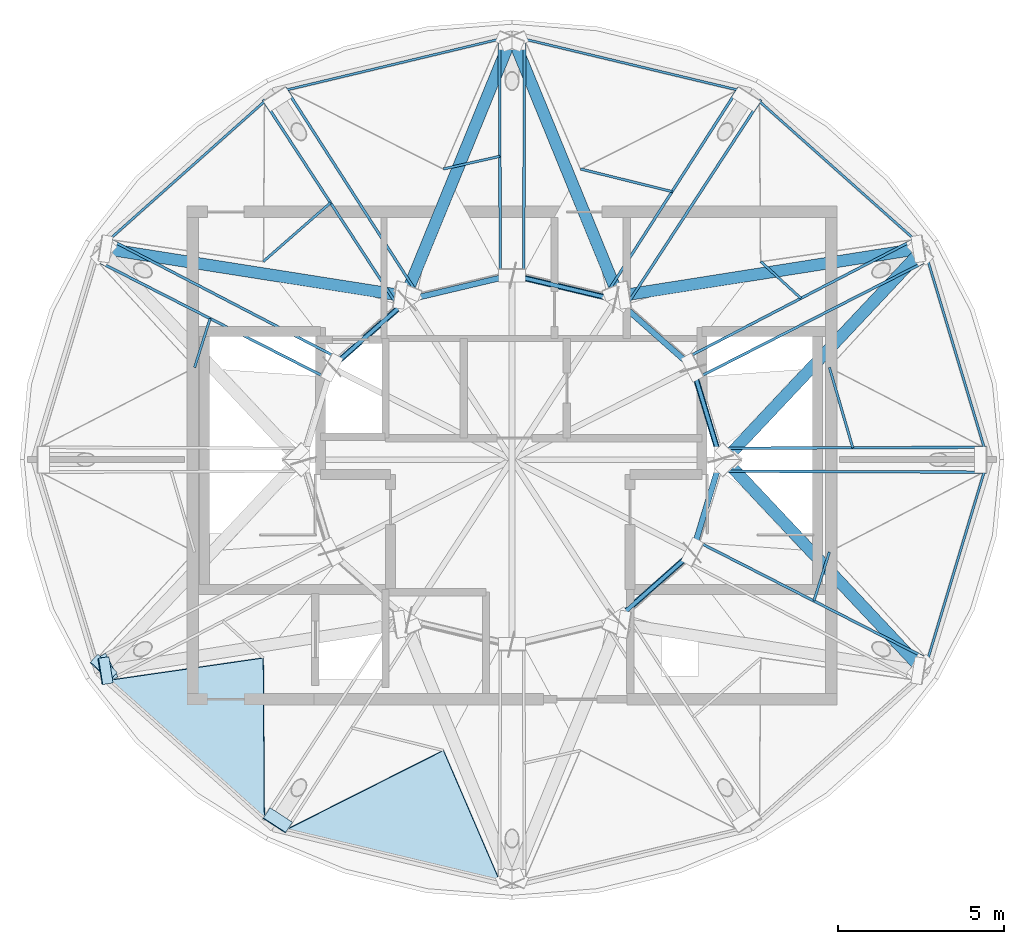
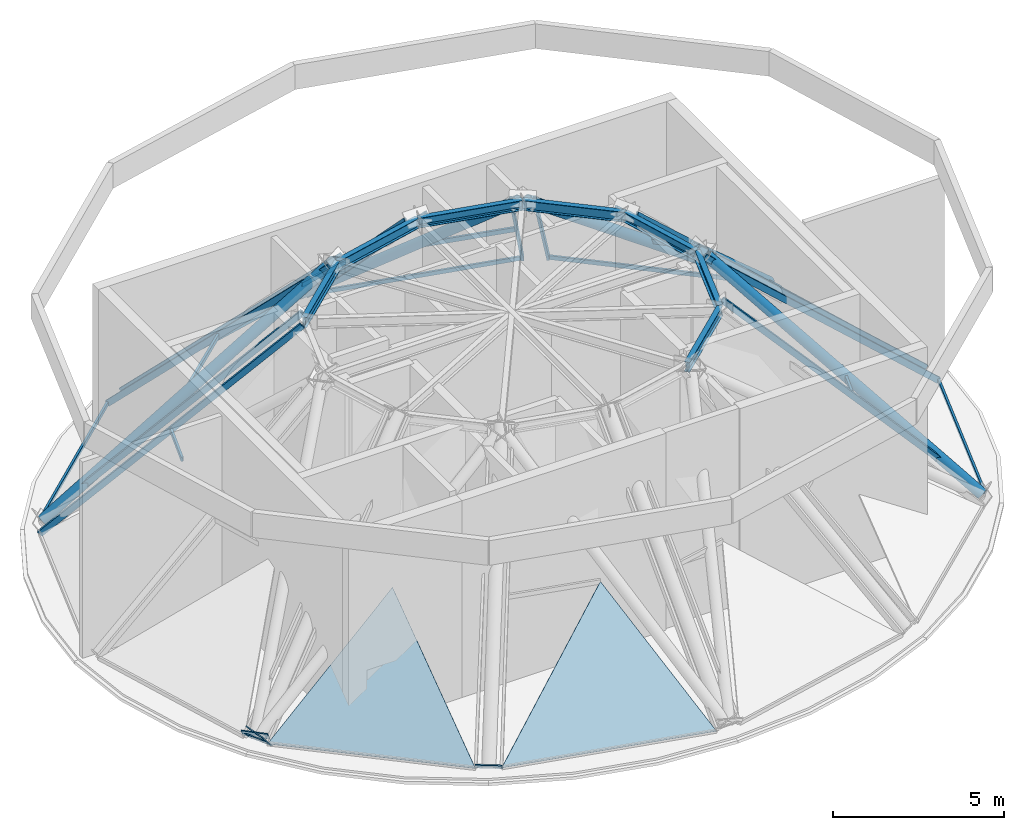
# One storey, part 2 of 6: 36 members, 7 beams, 6 plates, 9 elements without a shape of their own.
"""IFC4 building model written with IfcOpenShell, lengths in metres."""

import ifcopenshell
import ifcopenshell.guid

model = None  # the IFC model being written
_history = None  # IfcOwnerHistory: only IFC2X3 demands one
_inside = {}  # id of a spatial element -> (the spatial element, [elements in it])
_under = {}  # id of a project, library or spatial element -> (it, [spatial elements below it])
_declared = {}  # id of a project -> (the project, [libraries it declares])
_typed = {}  # id of a type object -> (the type object, [elements of that type])
_made_of = {}  # id of a material, layer set ... -> (it, [elements and type objects made of it])


def new_model(schema):
    """Start an empty IFC model of exactly this schema.

    Asked for "IFC4X3", IfcOpenShell would pick the latest addendum, in which some entities
    have other attributes; the version numbers below select the first issue.
    IFC2X3 requires an IfcOwnerHistory on every rooted entity: one is made here for all.
    """
    global model, _history
    if schema == "IFC4X3":
        model = ifcopenshell.file(schema_version=(4, 3, 0, 0))
    else:
        model = ifcopenshell.file(schema=schema)
    _inside.clear()
    _under.clear()
    _declared.clear()
    _typed.clear()
    _made_of.clear()
    _history = None
    if model.schema == "IFC2X3":
        org = make("IfcOrganization", Name="unknown")
        user = make(
            "IfcPersonAndOrganization",
            ThePerson=make("IfcPerson", FamilyName="unknown"),
            TheOrganization=org,
        )
        app = make(
            "IfcApplication",
            ApplicationDeveloper=org,
            Version="unknown",
            ApplicationFullName="unknown",
            ApplicationIdentifier="unknown",
        )
        _history = make(
            "IfcOwnerHistory",
            OwningUser=user,
            OwningApplication=app,
            ChangeAction="ADDED",
            CreationDate=0,
        )
    return model


def make(cls, **values):
    """One entity of the class cls with the attributes given. An attribute that is None is left unset."""
    return model.create_entity(
        cls, **{name: value for name, value in values.items() if value is not None}
    )


def rooted(cls, **values):
    """An entity with a GlobalId (a new one), such as an element, a storey or a relation."""
    return make(cls, GlobalId=ifcopenshell.guid.new(), OwnerHistory=_history, **values)


def si_unit(unit_type, name, prefix=None):
    """IfcSIUnit, for example si_unit("LENGTHUNIT", "METRE", prefix="MILLI")."""
    return make("IfcSIUnit", UnitType=unit_type, Prefix=prefix, Name=name)


def assignment(units):
    """IfcUnitAssignment: the units of a project."""
    return None if units is None else make("IfcUnitAssignment", Units=units)


def point(xyz):
    """IfcCartesianPoint."""
    return None if xyz is None else make("IfcCartesianPoint", Coordinates=xyz)


def direction(xyz):
    """IfcDirection."""
    return None if xyz is None else make("IfcDirection", DirectionRatios=xyz)


def frame(location, z_axis=None, x_axis=None):
    """IfcAxis2Placement3D, a coordinate frame: its origin and axes. An axis left out is left unset."""
    return make(
        "IfcAxis2Placement3D",
        Location=point(location),
        Axis=direction(z_axis),
        RefDirection=direction(x_axis),
    )


def frame_2d(location, x_axis=None):
    """IfcAxis2Placement2D, a coordinate frame in the plane: its origin and x axis."""
    return make(
        "IfcAxis2Placement2D", Location=point(location), RefDirection=direction(x_axis)
    )


def origin():
    """The frame at (0, 0, 0) with its axes left unset."""
    return frame((0.0, 0.0, 0.0))


def origin_2d():
    """The frame at (0, 0) in the plane with its x axis left unset."""
    return frame_2d((0.0, 0.0))


def place(relative_to, where):
    """IfcLocalPlacement: puts the frame where relative to a parent placement (None: the world)."""
    return make(
        "IfcLocalPlacement", PlacementRelTo=relative_to, RelativePlacement=where
    )


def context(
    kind, dimensions, precision=None, world=None, true_north=None, identifier=None
):
    """IfcGeometricRepresentationContext, for example the 3D "Model" context."""
    return make(
        "IfcGeometricRepresentationContext",
        ContextIdentifier=identifier,
        ContextType=kind,
        CoordinateSpaceDimension=dimensions,
        Precision=precision,
        WorldCoordinateSystem=world,
        TrueNorth=true_north,
    )


def subcontext(parent, identifier, kind, view, scale=None):
    """IfcGeometricRepresentationSubContext, for example "Body" below "Model"."""
    return make(
        "IfcGeometricRepresentationSubContext",
        ContextIdentifier=identifier,
        ContextType=kind,
        ParentContext=parent,
        TargetScale=scale,
        TargetView=view,
    )


def project(units=None, contexts=None):
    """IfcProject with its units and contexts."""
    return rooted(
        "IfcProject",
        Name="project",
        RepresentationContexts=contexts,
        UnitsInContext=assignment(units),
    )


def spatial(cls, under=None, at=None, **own):
    """A site, building, storey or space (cls), placed at a placement, below another one or the project."""
    s = rooted(cls, ObjectPlacement=at, **own)
    if under is not None:
        _under.setdefault(under.id(), (under, []))[1].append(s)
    return s


def polyline(points):
    """IfcPolyline through the points."""
    return make("IfcPolyline", Points=[point(p) for p in points])


def profile(cls, at=None, kind="AREA", **sizes):
    """A parametric profile (cls). Its sizes go by their IFC names, for example OverallWidth=200.0."""
    return make(cls, ProfileType=kind, Position=at, **sizes)


def hollow_rectangle(**sizes):
    """IfcRectangleHollowProfileDef."""
    return profile("IfcRectangleHollowProfileDef", **sizes)


def hollow_circle(**sizes):
    """IfcCircleHollowProfileDef."""
    return profile("IfcCircleHollowProfileDef", **sizes)


def i_section(**sizes):
    """IfcIShapeProfileDef."""
    return profile("IfcIShapeProfileDef", **sizes)


def outline(outer, holes=None, kind="AREA"):
    """IfcArbitraryClosedProfileDef: a profile drawn as a closed curve; with holes, ...WithVoids."""
    if holes is None:
        return make("IfcArbitraryClosedProfileDef", ProfileType=kind, OuterCurve=outer)
    return make(
        "IfcArbitraryProfileDefWithVoids",
        ProfileType=kind,
        OuterCurve=outer,
        InnerCurves=holes,
    )


def extrude(swept, where, along, depth):
    """IfcExtrudedAreaSolid: the profile swept, set in the frame where, extruded along a direction by depth."""
    return make(
        "IfcExtrudedAreaSolid",
        SweptArea=swept,
        Position=where,
        ExtrudedDirection=direction(along),
        Depth=depth,
    )


def shape(context_of_items, identifier, shape_type, items):
    """IfcShapeRepresentation: the items that make up one representation, for example the "Body"."""
    return make(
        "IfcShapeRepresentation",
        ContextOfItems=context_of_items,
        RepresentationIdentifier=identifier,
        RepresentationType=shape_type,
        Items=items,
    )


def material(Name=None, Category=None):
    """IfcMaterial."""
    return make("IfcMaterial", Name=Name, Category=Category)


def layer(
    of_material, thickness, ventilated=None, Name=None, Category=None, Priority=None
):
    """IfcMaterialLayer: one layer of a wall or slab, of a material (None: an air gap)."""
    return make(
        "IfcMaterialLayer",
        Material=of_material,
        LayerThickness=thickness,
        IsVentilated=ventilated,
        Name=Name,
        Category=Category,
        Priority=Priority,
    )


def layer_set(layers, Name=None):
    """IfcMaterialLayerSet."""
    return make("IfcMaterialLayerSet", MaterialLayers=layers, LayerSetName=Name)


def material_profile(
    of_material, cross_section, Name=None, Category=None, Priority=None
):
    """IfcMaterialProfile: a cross section and its material."""
    return make(
        "IfcMaterialProfile",
        Name=Name,
        Material=of_material,
        Profile=cross_section,
        Priority=Priority,
        Category=Category,
    )


def profile_set(profiles, Name=None, composite=None):
    """IfcMaterialProfileSet."""
    return make(
        "IfcMaterialProfileSet",
        Name=Name,
        MaterialProfiles=profiles,
        CompositeProfile=composite,
    )


def made_of(thing, what):
    """Note that an element or type object is made of a material, layer set ...; save() writes the relation."""
    if what is not None:
        _made_of.setdefault(what.id(), (what, []))[1].append(thing)
    return thing


def type_object(cls, material=None, **own):
    """A type object (cls), such as IfcWallType, which elements share."""
    return made_of(rooted(cls, **own), material)


def element(
    cls,
    number,
    at=None,
    inside=None,
    cuts=None,
    type_object=None,
    material=None,
    context=None,
    identifier="Body",
    shape_type=None,
    held_by="IfcProductDefinitionShape",
    body=None,
    shapes=None,
    **own,
):
    """One element of the class cls, such as IfcWall. Its Tag is "e" and its number.

    at: its placement. inside: the storey or other place that contains it. cuts: it is an
    opening in that element (IfcRelVoidsElement). A single representation is given by context,
    identifier, shape_type and body (its items); several are given by shapes. held_by: the class
    of the entity that holds the representations. save() writes the other relations.
    """
    e = rooted(cls, Tag="e%d" % number, ObjectPlacement=at, **own)
    if body is not None:
        shapes = [shape(context, identifier, shape_type, body)]
    if shapes is not None:
        e.Representation = make(held_by, Representations=shapes)
    if inside is not None:
        _inside.setdefault(inside.id(), (inside, []))[1].append(e)
    if cuts is not None:
        rooted(
            "IfcRelVoidsElement", RelatingBuildingElement=cuts, RelatedOpeningElement=e
        )
    if type_object is not None:
        _typed.setdefault(type_object.id(), (type_object, []))[1].append(e)
    return made_of(e, material)


def aggregate(whole, parts):
    """IfcRelAggregates: a whole, such as a stair, and the parts it consists of."""
    return rooted("IfcRelAggregates", RelatingObject=whole, RelatedObjects=parts)


def save(model, path):
    """Write the relations noted so far, then the file.

    IfcRelAggregates (storeys below a building ...), IfcRelContainedInSpatialStructure (elements
    in a storey), IfcRelDefinesByType, IfcRelAssociatesMaterial and IfcRelDeclares: one each for
    every whole, place, type object, material and project.
    """
    for whole, parts in _under.values():
        aggregate(whole, parts)
    for where, things in _inside.values():
        rooted(
            "IfcRelContainedInSpatialStructure",
            RelatedElements=things,
            RelatingStructure=where,
        )
    for kind, things in _typed.values():
        rooted("IfcRelDefinesByType", RelatedObjects=things, RelatingType=kind)
    for what, things in _made_of.values():
        rooted("IfcRelAssociatesMaterial", RelatedObjects=things, RelatingMaterial=what)
    for by, libraries in _declared.values():
        rooted("IfcRelDeclares", RelatingContext=by, RelatedDefinitions=libraries)
    model.write(path)


model = new_model("IFC4")

# Units and contexts
model_context = context("Model", 3, precision=1e-05, world=origin(), true_north=direction((0.0, 1.0)))
body_context = subcontext(model_context, "Body", "Model", "MODEL_VIEW")
ifc_project = project(units=[si_unit("LENGTHUNIT", "METRE"), si_unit("AREAUNIT", "SQUARE_METRE"), si_unit("VOLUMEUNIT", "CUBIC_METRE"), si_unit("PLANEANGLEUNIT", "RADIAN"), si_unit("MASSUNIT", "GRAM", prefix="KILO")], contexts=[model_context])

# Site, building, storey
site_placement = place(None, origin())
site = spatial("IfcSite", under=ifc_project, at=site_placement, CompositionType="ELEMENT")
building_placement = place(site_placement, origin())
building = spatial("IfcBuilding", under=site, at=building_placement, Name="Vantalir Tower", CompositionType="ELEMENT")
storey_placement = place(building_placement, frame((0.0, 0.0, 340.75)))
storey = spatial("IfcBuildingStorey", under=building, at=storey_placement, Name="L81", CompositionType="ELEMENT", Elevation=340.75)

# Beams
ifc_material_1 = material(Name="Steel S460", Category="steel")
ifc_material_profile_1 = material_profile(ifc_material_1, i_section(OverallWidth=0.172119140625, OverallDepth=0.35791015625, WebThickness=0.008056640625, FlangeThickness=0.012939453125, at=origin_2d()), Name="Steel S460")
ifc_profile_set_1 = profile_set([ifc_material_profile_1], Name="Steel S460")
beam_type = type_object("IfcBeamType", Name="BM-RB-356x171", PredefinedType="BEAM", material=ifc_profile_set_1)
beam_1_placement = place(storey_placement, frame((37.77001953125, 25.0, 7.071044921875), z_axis=(-0.289757313078, 0.957100151247, 0.0), x_axis=(-0.957100151247, -0.289757313078, 0.0)))
element("IfcBeam", 1, at=beam_1_placement, inside=storey, type_object=beam_type, Name="L81 Circumferential Ring Girder 01", PredefinedType="BEAM", context=body_context, shape_type="SweptSolid", body=[
    extrude(i_section(OverallWidth=0.172119140625, OverallDepth=0.35791015625, WebThickness=0.008056640625, FlangeThickness=0.012939453125, at=origin_2d()), origin(), (0.0, 0.0, 1.0), 2.899169921875),
])
beam_2_placement = place(storey_placement, frame((36.929931640625, 27.77490234375, 7.071044921875), z_axis=(-0.748853610348, 0.662735445158, 0.0), x_axis=(-0.662735445158, -0.748853610348, 0.0)))
element("IfcBeam", 2, at=beam_2_placement, inside=storey, type_object=beam_type, Name="L81 Circumferential Ring Girder 02", PredefinedType="BEAM", context=body_context, shape_type="SweptSolid", body=[
    extrude(i_section(OverallWidth=0.172119140625, OverallDepth=0.35791015625, WebThickness=0.008056640625, FlangeThickness=0.012939453125, at=origin_2d()), origin(), (0.0, 0.0, 1.0), 3.064697265625),
])
for number, where, z_axis, x_axis, name in (
    (3, (34.635009765625, 29.805908203125, 7.071044921875), (-0.972966140328, 0.23094780747, 0.0), (-0.23094780747, -0.972966140328, 0.0), "L81 Circumferential Ring Girder 03"),
    (4, (31.5, 30.550048828125, 7.071044921875), (-0.972966140328, -0.23094780747, 0.0), (0.23094780747, -0.972966140328, 0.0), "L81 Circumferential Ring Girder 04"),
):
    element("IfcBeam", number, at=place(storey_placement, frame(where, z_axis=z_axis, x_axis=x_axis)), inside=storey, type_object=beam_type, Name=name, PredefinedType="BEAM", context=body_context, shape_type="SweptSolid", body=[
        extrude(i_section(OverallWidth=0.172119140625, OverallDepth=0.35791015625, WebThickness=0.008056640625, FlangeThickness=0.012939453125, at=origin_2d()), origin(), (0.0, 0.0, 1.0), 3.22216796875),
    ])
for number, where, z_axis, x_axis, name in (
    (5, (28.364990234375, 29.805908203125, 7.071044921875), (-0.748853610348, -0.662735445158, 0.0), (0.662735445158, -0.748853610348, 0.0), "L81 Circumferential Ring Girder 05"),
    (6, (34.635009765625, 20.194091796875, 7.071044921875), (0.748853610348, 0.662735445158, 0.0), (-0.662735445158, 0.748853610348, 0.0), "L81 Circumferential Ring Girder 11"),
):
    element("IfcBeam", number, at=place(storey_placement, frame(where, z_axis=z_axis, x_axis=x_axis)), inside=storey, type_object=beam_type, Name=name, PredefinedType="BEAM", context=body_context, shape_type="SweptSolid", body=[
        extrude(i_section(OverallWidth=0.172119140625, OverallDepth=0.35791015625, WebThickness=0.008056640625, FlangeThickness=0.012939453125, at=origin_2d()), origin(), (0.0, 0.0, 1.0), 3.064697265625),
    ])
beam_3_placement = place(storey_placement, frame((36.929931640625, 22.22509765625, 7.071044921875), z_axis=(0.289757313078, 0.957100151247, 0.0), x_axis=(-0.957100151247, 0.289757313078, 0.0)))
element("IfcBeam", 7, at=beam_3_placement, inside=storey, type_object=beam_type, Name="L81 Circumferential Ring Girder 12", PredefinedType="BEAM", context=body_context, shape_type="SweptSolid", body=[
    extrude(i_section(OverallWidth=0.172119140625, OverallDepth=0.35791015625, WebThickness=0.008056640625, FlangeThickness=0.012939453125, at=origin_2d()), origin(), (0.0, 0.0, 1.0), 2.899169921875),
])

# Curtain wall, members
ifc_material_2 = material(Name="Champagne-silver PVDF aluminium and double-silver Low-E glass", Category="aluminium")
ifc_layer_1 = layer(ifc_material_2, 0.25)
ifc_layer_set_1 = layer_set([ifc_layer_1], Name="Champagne-silver PVDF aluminium and double-silver Low-E glass")
curtain_wall_type = type_object("IfcCurtainWallType", Name="CW-CROWN-PT", PredefinedType="USERDEFINED", material=ifc_layer_set_1)
curtain_wall_1_placement = place(storey_placement, origin())
curtain_wall_1 = element("IfcCurtainWall", 8, at=curtain_wall_1_placement, inside=storey, type_object=curtain_wall_type, Name="L81 Quilted Pyramid-Diamond Curtain Wall S01", ObjectType="UNITISED CURTAIN WALL", PredefinedType="USERDEFINED")
ifc_material_3 = material(Name="Champagne-silver PVDF aluminium 6063-T6", Category="aluminium")
ifc_material_profile_2 = material_profile(ifc_material_3, hollow_rectangle(XDim=0.080078125, YDim=0.199951171875, WallThickness=0.0048828125, at=origin_2d()), Name="Champagne-silver PVDF aluminium 6063-T6")
ifc_profile_set_2 = profile_set([ifc_material_profile_2], Name="Champagne-silver PVDF aluminium 6063-T6")
member_type_1 = type_object("IfcMemberType", Name="CWM-200x80", PredefinedType="MULLION", material=ifc_profile_set_2)
member_1_placement = place(storey_placement, frame((45.69189453125, 25.373046875, 0.044921875), z_axis=(-0.740778487753, -0.002634021585, 0.671744217699), x_axis=(0.003555725466, -0.999993678388, 0.0)))
member_1 = element("IfcMember", 9, at=member_1_placement, type_object=member_type_1, Name="CW-L81-S01 Mullion 1", PredefinedType="MULLION", context=body_context, shape_type="SweptSolid", body=[
    extrude(hollow_rectangle(XDim=0.080078125, YDim=0.199951171875, WallThickness=0.0048828125, at=origin_2d()), origin(), (0.0, 0.0, 1.0), 10.658935546875),
])
member_2_placement = place(storey_placement, frame((44.0, 30.992919921875, 0.044921875), z_axis=(-0.652029545163, -0.332797552318, 0.681251246902), x_axis=(0.45461060906, -0.890690290802, 0.0)))
member_2 = element("IfcMember", 10, at=member_2_placement, type_object=member_type_1, Name="CW-L81-S01 Mullion 2", PredefinedType="MULLION", context=body_context, shape_type="SweptSolid", body=[
    extrude(hollow_rectangle(XDim=0.080078125, YDim=0.199951171875, WallThickness=0.0048828125, at=origin_2d()), origin(), (0.0, 0.0, 1.0), 10.51025390625),
])

curtain_wall_2_placement = place(storey_placement, origin())
curtain_wall_2 = element("IfcCurtainWall", 11, at=curtain_wall_2_placement, inside=storey, type_object=curtain_wall_type, Name="L81 Quilted Pyramid-Diamond Curtain Wall S02", ObjectType="UNITISED CURTAIN WALL", PredefinedType="USERDEFINED")
member_3_placement = place(storey_placement, frame((43.596923828125, 31.625, 0.044921875), z_axis=(-0.649383812455, -0.337483468426, 0.681473090195), x_axis=(0.461141787849, -0.887326462752, 0.0)))
member_3 = element("IfcMember", 12, at=member_3_placement, type_object=member_type_1, Name="CW-L81-S02 Mullion 1", PredefinedType="MULLION", context=body_context, shape_type="SweptSolid", body=[
    extrude(hollow_rectangle(XDim=0.080078125, YDim=0.199951171875, WallThickness=0.0048828125, at=origin_2d()), origin(), (0.0, 0.0, 1.0), 10.5068359375),
])
member_4_placement = place(storey_placement, frame((38.943115234375, 35.76806640625, 0.044921875), z_axis=(-0.389457173987, -0.596626953416, 0.70168325339), x_axis=(0.83738406038, -0.546614979142, 0.0)))
member_4 = element("IfcMember", 13, at=member_4_placement, type_object=member_type_1, Name="CW-L81-S02 Mullion 2", PredefinedType="MULLION", context=body_context, shape_type="SweptSolid", body=[
    extrude(hollow_rectangle(XDim=0.080078125, YDim=0.199951171875, WallThickness=0.0048828125, at=origin_2d()), origin(), (0.0, 0.0, 1.0), 10.204345703125),
])

curtain_wall_3_placement = place(storey_placement, origin())
curtain_wall_3 = element("IfcCurtainWall", 14, at=curtain_wall_3_placement, inside=storey, type_object=curtain_wall_type, Name="L81 Quilted Pyramid-Diamond Curtain Wall S03", ObjectType="UNITISED CURTAIN WALL", PredefinedType="USERDEFINED")
member_5_placement = place(storey_placement, frame((38.27294921875, 36.116943359375, 0.044921875), z_axis=(-0.384575349421, -0.59948087982, 0.701943356225), x_axis=(0.841692353303, -0.539957389423, 0.0)))
member_5 = element("IfcMember", 15, at=member_5_placement, type_object=member_type_1, Name="CW-L81-S03 Mullion 1", PredefinedType="MULLION", context=body_context, shape_type="SweptSolid", body=[
    extrude(hollow_rectangle(XDim=0.080078125, YDim=0.199951171875, WallThickness=0.0048828125, at=origin_2d()), origin(), (0.0, 0.0, 1.0), 10.200439453125),
])
member_6_placement = place(storey_placement, frame((31.87890625, 37.64306640625, 0.044921875), z_axis=(-0.002867743735, -0.701406372276, 0.71275583265), x_axis=(0.999991641933, -0.004088528247, 0.0)))
member_6 = element("IfcMember", 16, at=member_6_placement, type_object=member_type_1, Name="CW-L81-S03 Mullion 2", PredefinedType="MULLION", context=body_context, shape_type="SweptSolid", body=[
    extrude(hollow_rectangle(XDim=0.080078125, YDim=0.199951171875, WallThickness=0.0048828125, at=origin_2d()), origin(), (0.0, 0.0, 1.0), 10.045654296875),
])

curtain_wall_4_placement = place(storey_placement, origin())
curtain_wall_4 = element("IfcCurtainWall", 17, at=curtain_wall_4_placement, inside=storey, type_object=curtain_wall_type, Name="L81 Quilted Pyramid-Diamond Curtain Wall S04", ObjectType="UNITISED CURTAIN WALL", PredefinedType="USERDEFINED")
member_7_placement = place(storey_placement, frame((31.12109375, 37.64306640625, 0.044921875), z_axis=(0.002867743735, -0.701406372276, 0.71275583265), x_axis=(0.999991641933, 0.004088528247, 0.0)))
member_7 = element("IfcMember", 18, at=member_7_placement, type_object=member_type_1, Name="CW-L81-S04 Mullion 1", PredefinedType="MULLION", context=body_context, shape_type="SweptSolid", body=[
    extrude(hollow_rectangle(XDim=0.080078125, YDim=0.199951171875, WallThickness=0.0048828125, at=origin_2d()), origin(), (0.0, 0.0, 1.0), 10.045654296875),
])
member_8_placement = place(storey_placement, frame((24.72705078125, 36.116943359375, 0.044921875), z_axis=(0.384575349421, -0.59948087982, 0.701943356225), x_axis=(0.841692353303, 0.539957389423, 0.0)))
member_8 = element("IfcMember", 19, at=member_8_placement, type_object=member_type_1, Name="CW-L81-S04 Mullion 2", PredefinedType="MULLION", context=body_context, shape_type="SweptSolid", body=[
    extrude(hollow_rectangle(XDim=0.080078125, YDim=0.199951171875, WallThickness=0.0048828125, at=origin_2d()), origin(), (0.0, 0.0, 1.0), 10.200439453125),
])

curtain_wall_5_placement = place(storey_placement, origin())
curtain_wall_5 = element("IfcCurtainWall", 20, at=curtain_wall_5_placement, inside=storey, type_object=curtain_wall_type, Name="L81 Quilted Pyramid-Diamond Curtain Wall S05", ObjectType="UNITISED CURTAIN WALL", PredefinedType="USERDEFINED")
member_9_placement = place(storey_placement, frame((24.056884765625, 35.76806640625, 0.044921875), z_axis=(0.389457173987, -0.596626953416, 0.70168325339), x_axis=(0.83738406038, 0.546614979142, 0.0)))
member_9 = element("IfcMember", 21, at=member_9_placement, type_object=member_type_1, Name="CW-L81-S05 Mullion 1", PredefinedType="MULLION", context=body_context, shape_type="SweptSolid", body=[
    extrude(hollow_rectangle(XDim=0.080078125, YDim=0.199951171875, WallThickness=0.0048828125, at=origin_2d()), origin(), (0.0, 0.0, 1.0), 10.204345703125),
])
member_10_placement = place(storey_placement, frame((19.403076171875, 31.625, 0.044921875), z_axis=(0.649383812455, -0.337483468426, 0.681473090195), x_axis=(0.461141787849, 0.887326462752, 0.0)))
member_10 = element("IfcMember", 22, at=member_10_placement, type_object=member_type_1, Name="CW-L81-S05 Mullion 2", PredefinedType="MULLION", context=body_context, shape_type="SweptSolid", body=[
    extrude(hollow_rectangle(XDim=0.080078125, YDim=0.199951171875, WallThickness=0.0048828125, at=origin_2d()), origin(), (0.0, 0.0, 1.0), 10.5068359375),
])

# Curtain wall, member
curtain_wall_6_placement = place(storey_placement, origin())
curtain_wall_6 = element("IfcCurtainWall", 23, at=curtain_wall_6_placement, inside=storey, type_object=curtain_wall_type, Name="L81 Quilted Pyramid-Diamond Curtain Wall S06", ObjectType="UNITISED CURTAIN WALL", PredefinedType="USERDEFINED")
member_11_placement = place(storey_placement, frame((19.0, 30.992919921875, 0.044921875), z_axis=(0.652029545163, -0.332797552318, 0.681251246902), x_axis=(0.45461060906, 0.890690290802, 0.0)))
member_11 = element("IfcMember", 24, at=member_11_placement, type_object=member_type_1, Name="CW-L81-S06 Mullion 1", PredefinedType="MULLION", context=body_context, shape_type="SweptSolid", body=[
    extrude(hollow_rectangle(XDim=0.080078125, YDim=0.199951171875, WallThickness=0.0048828125, at=origin_2d()), origin(), (0.0, 0.0, 1.0), 10.51025390625),
])

# Curtain wall, members
curtain_wall_7_placement = place(storey_placement, origin())
curtain_wall_7 = element("IfcCurtainWall", 25, at=curtain_wall_7_placement, inside=storey, type_object=curtain_wall_type, Name="L81 Quilted Pyramid-Diamond Curtain Wall S12", ObjectType="UNITISED CURTAIN WALL", PredefinedType="USERDEFINED")
member_12_placement = place(storey_placement, frame((44.0, 19.006103515625, 0.044921875), z_axis=(-0.652009381347, 0.332880172572, 0.681230179414), x_axis=(-0.454711292987, -0.890638894295, 0.0)))
member_12 = element("IfcMember", 26, at=member_12_placement, type_object=member_type_1, Name="CW-L81-S12 Mullion 1", PredefinedType="MULLION", context=body_context, shape_type="SweptSolid", body=[
    extrude(hollow_rectangle(XDim=0.080078125, YDim=0.199951171875, WallThickness=0.0048828125, at=origin_2d()), origin(), (0.0, 0.0, 1.0), 10.5107421875),
])
member_13_placement = place(storey_placement, frame((45.69189453125, 24.626953125, 0.044921875), z_axis=(-0.740778487753, 0.002634021585, 0.671744217699), x_axis=(-0.003555725466, -0.999993678388, 0.0)))
member_13 = element("IfcMember", 27, at=member_13_placement, type_object=member_type_1, Name="CW-L81-S12 Mullion 2", PredefinedType="MULLION", context=body_context, shape_type="SweptSolid", body=[
    extrude(hollow_rectangle(XDim=0.080078125, YDim=0.199951171875, WallThickness=0.0048828125, at=origin_2d()), origin(), (0.0, 0.0, 1.0), 10.658935546875),
])

# Member
ifc_material_profile_3 = material_profile(ifc_material_3, hollow_rectangle(XDim=0.070068359375, YDim=0.139892578125, WallThickness=0.00390625, at=origin_2d()), Name="Champagne-silver PVDF aluminium 6063-T6")
ifc_profile_set_3 = profile_set([ifc_material_profile_3], Name="Champagne-silver PVDF aluminium 6063-T6")
member_type_2 = type_object("IfcMemberType", Name="CWT-140x70", PredefinedType="USERDEFINED", material=ifc_profile_set_3)
member_14_placement = place(storey_placement, frame((45.69189453125, 25.373046875, 0.054931640625), z_axis=(-0.2882751223, 0.957547624854, 0.0), x_axis=(-0.957547624854, -0.2882751223, 0.0)))
member_14 = element("IfcMember", 28, at=member_14_placement, type_object=member_type_2, Name="CW-L81-S01 Sill Transom", ObjectType="TRANSOM", PredefinedType="USERDEFINED", context=body_context, shape_type="SweptSolid", body=[
    extrude(hollow_rectangle(XDim=0.070068359375, YDim=0.139892578125, WallThickness=0.00390625, at=origin_2d()), origin(), (0.0, 0.0, 1.0), 5.869140625),
])

member_15_placement = place(storey_placement, frame((43.596923828125, 31.625, 0.054931640625), z_axis=(-0.746903238085, 0.664932743169, 0.0), x_axis=(-0.664932743169, -0.746903238085, 0.0)))
member_15 = element("IfcMember", 29, at=member_15_placement, type_object=member_type_2, Name="CW-L81-S02 Sill Transom", ObjectType="TRANSOM", PredefinedType="USERDEFINED", context=body_context, shape_type="SweptSolid", body=[
    extrude(hollow_rectangle(XDim=0.070068359375, YDim=0.139892578125, WallThickness=0.00390625, at=origin_2d()), origin(), (0.0, 0.0, 1.0), 6.230712890625),
])

member_16_placement = place(storey_placement, frame((38.27294921875, 36.116943359375, 0.054931640625), z_axis=(-0.97267815095, 0.232157736601, 0.0), x_axis=(-0.232157736601, -0.97267815095, 0.0)))
member_16 = element("IfcMember", 30, at=member_16_placement, type_object=member_type_2, Name="CW-L81-S03 Sill Transom", ObjectType="TRANSOM", PredefinedType="USERDEFINED", context=body_context, shape_type="SweptSolid", body=[
    extrude(hollow_rectangle(XDim=0.070068359375, YDim=0.139892578125, WallThickness=0.00390625, at=origin_2d()), origin(), (0.0, 0.0, 1.0), 6.57373046875),
])

member_17_placement = place(storey_placement, frame((31.12109375, 37.64306640625, 0.054931640625), z_axis=(-0.97267815095, -0.232157736601, 0.0), x_axis=(0.232157736601, -0.97267815095, 0.0)))
member_17 = element("IfcMember", 31, at=member_17_placement, type_object=member_type_2, Name="CW-L81-S04 Sill Transom", ObjectType="TRANSOM", PredefinedType="USERDEFINED", context=body_context, shape_type="SweptSolid", body=[
    extrude(hollow_rectangle(XDim=0.070068359375, YDim=0.139892578125, WallThickness=0.00390625, at=origin_2d()), origin(), (0.0, 0.0, 1.0), 6.57373046875),
])

member_18_placement = place(storey_placement, frame((24.056884765625, 35.76806640625, 0.054931640625), z_axis=(-0.746903238085, -0.664932743169, 0.0), x_axis=(0.664932743169, -0.746903238085, 0.0)))
member_18 = element("IfcMember", 32, at=member_18_placement, type_object=member_type_2, Name="CW-L81-S05 Sill Transom", ObjectType="TRANSOM", PredefinedType="USERDEFINED", context=body_context, shape_type="SweptSolid", body=[
    extrude(hollow_rectangle(XDim=0.070068359375, YDim=0.139892578125, WallThickness=0.00390625, at=origin_2d()), origin(), (0.0, 0.0, 1.0), 6.230712890625),
])

member_19_placement = place(storey_placement, frame((44.0, 19.006103515625, 0.054931640625), z_axis=(0.288229198754, 0.957561449195, 0.0), x_axis=(-0.957561449195, 0.288229198754, 0.0)))
member_19 = element("IfcMember", 33, at=member_19_placement, type_object=member_type_2, Name="CW-L81-S12 Sill Transom", ObjectType="TRANSOM", PredefinedType="USERDEFINED", context=body_context, shape_type="SweptSolid", body=[
    extrude(hollow_rectangle(XDim=0.070068359375, YDim=0.139892578125, WallThickness=0.00390625, at=origin_2d()), origin(), (0.0, 0.0, 1.0), 5.869873046875),
])

ifc_material_profile_4 = material_profile(ifc_material_3, hollow_rectangle(XDim=0.074951171875, YDim=0.159912109375, WallThickness=0.00390625, at=origin_2d()), Name="Champagne-silver PVDF aluminium 6063-T6")
ifc_profile_set_4 = profile_set([ifc_material_profile_4], Name="Champagne-silver PVDF aluminium 6063-T6")
member_type_3 = type_object("IfcMemberType", Name="CWT-160x75", PredefinedType="USERDEFINED", material=ifc_profile_set_4)
member_20_placement = place(storey_placement, frame((41.743896484375, 25.35888671875, 3.625), z_axis=(-0.279448317553, 0.960160735407, 0.0), x_axis=(-0.960160735407, -0.279448317553, 0.0)))
member_20 = element("IfcMember", 34, at=member_20_placement, type_object=member_type_3, Name="CW-L81-S01 Pyramid Fold Ridge Transom", ObjectType="TRANSOM", PredefinedType="USERDEFINED", context=body_context, shape_type="SweptSolid", body=[
    extrude(hollow_rectangle(XDim=0.074951171875, YDim=0.159912109375, WallThickness=0.00390625, at=origin_2d()), origin(), (0.0, 0.0, 1.0), 2.51513671875),
])

aggregate(curtain_wall_1, [member_1, member_2, member_14, member_20])

member_21_placement = place(storey_placement, frame((40.18505859375, 29.85205078125, 3.625), z_axis=(-0.737574754998, 0.675265489115, 0.0), x_axis=(-0.675265489115, -0.737574754998, 0.0)))
member_21 = element("IfcMember", 35, at=member_21_placement, type_object=member_type_3, Name="CW-L81-S02 Pyramid Fold Ridge Transom", ObjectType="TRANSOM", PredefinedType="USERDEFINED", context=body_context, shape_type="SweptSolid", body=[
    extrude(hollow_rectangle(XDim=0.074951171875, YDim=0.159912109375, WallThickness=0.00390625, at=origin_2d()), origin(), (0.0, 0.0, 1.0), 1.6376953125),
])

aggregate(curtain_wall_2, [member_3, member_4, member_15, member_21])

member_22_placement = place(storey_placement, frame((36.31103515625, 33.06005859375, 3.625), z_axis=(-0.970787722038, 0.239939989872, 0.0), x_axis=(-0.239939989872, -0.970787722038, 0.0)))
member_22 = element("IfcMember", 36, at=member_22_placement, type_object=member_type_3, Name="CW-L81-S03 Pyramid Fold Ridge Transom", ObjectType="TRANSOM", PredefinedType="USERDEFINED", context=body_context, shape_type="SweptSolid", body=[
    extrude(hollow_rectangle(XDim=0.074951171875, YDim=0.159912109375, WallThickness=0.00390625, at=origin_2d()), origin(), (0.0, 0.0, 1.0), 2.833740234375),
])

aggregate(curtain_wall_3, [member_5, member_6, member_16, member_22])

member_23_placement = place(storey_placement, frame((31.135009765625, 34.1201171875, 3.625), z_axis=(-0.975765265983, -0.218819893293, 0.0), x_axis=(0.218819893293, -0.975765265983, 0.0)))
member_23 = element("IfcMember", 37, at=member_23_placement, type_object=member_type_3, Name="CW-L81-S04 Pyramid Fold Ridge Transom", ObjectType="TRANSOM", PredefinedType="USERDEFINED", context=body_context, shape_type="SweptSolid", body=[
    extrude(hollow_rectangle(XDim=0.074951171875, YDim=0.159912109375, WallThickness=0.00390625, at=origin_2d()), origin(), (0.0, 0.0, 1.0), 1.737060546875),
])

aggregate(curtain_wall_4, [member_7, member_8, member_17, member_23])

member_24_placement = place(storey_placement, frame((26.0439453125, 32.72412109375, 3.625), z_axis=(-0.75299352566, -0.658027925178, 0.0), x_axis=(0.658027925178, -0.75299352566, 0.0)))
member_24 = element("IfcMember", 38, at=member_24_placement, type_object=member_type_3, Name="CW-L81-S05 Pyramid Fold Ridge Transom", ObjectType="TRANSOM", PredefinedType="USERDEFINED", context=body_context, shape_type="SweptSolid", body=[
    extrude(hollow_rectangle(XDim=0.074951171875, YDim=0.159912109375, WallThickness=0.00390625, at=origin_2d()), origin(), (0.0, 0.0, 1.0), 2.683837890625),
])

aggregate(curtain_wall_5, [member_9, member_10, member_18, member_24])

member_25_placement = place(storey_placement, frame((22.426025390625, 29.243896484375, 3.625), z_axis=(-0.3028050893, -0.953052505319, 0.0), x_axis=(0.953052505319, -0.3028050893, 0.0)))
member_25 = element("IfcMember", 39, at=member_25_placement, type_object=member_type_3, Name="CW-L81-S06 Pyramid Fold Ridge Transom", ObjectType="TRANSOM", PredefinedType="USERDEFINED", context=body_context, shape_type="SweptSolid", body=[
    extrude(hollow_rectangle(XDim=0.074951171875, YDim=0.159912109375, WallThickness=0.00390625, at=origin_2d()), origin(), (0.0, 0.0, 1.0), 1.54248046875),
])

aggregate(curtain_wall_6, [member_11, member_25])

member_26_placement = place(storey_placement, frame((40.573974609375, 20.756103515625, 3.625), z_axis=(0.302987914935, 0.952994398411, 0.0), x_axis=(-0.952994398411, 0.302987914935, 0.0)))
member_26 = element("IfcMember", 40, at=member_26_placement, type_object=member_type_3, Name="CW-L81-S12 Pyramid Fold Ridge Transom", ObjectType="TRANSOM", PredefinedType="USERDEFINED", context=body_context, shape_type="SweptSolid", body=[
    extrude(hollow_rectangle(XDim=0.074951171875, YDim=0.159912109375, WallThickness=0.00390625, at=origin_2d()), origin(), (0.0, 0.0, 1.0), 1.54150390625),
])

aggregate(curtain_wall_7, [member_12, member_13, member_19, member_26])

# Members
ifc_material_profile_5 = material_profile(ifc_material_1, hollow_circle(Radius=0.177490234375, WallThickness=0.02001953125, at=origin_2d()), Name="Steel S460")
ifc_profile_set_5 = profile_set([ifc_material_profile_5], Name="Steel S460")
member_type_4 = type_object("IfcMemberType", Name="MEM-DB-355x20", PredefinedType="BRACE", material=ifc_profile_set_5)
member_27_placement = place(storey_placement, frame((43.715087890625, 31.339111328125, 0.212890625), z_axis=(-0.785556525884, -0.123764683345, 0.606286440387), x_axis=(0.155630621672, -0.987815321605, 0.0)))
element("IfcMember", 41, at=member_27_placement, inside=storey, type_object=member_type_4, Name="L81 CROWN FRAME Diagrid Brace R04L", PredefinedType="BRACE", context=body_context, shape_type="SweptSolid", body=[
    extrude(hollow_circle(Radius=0.177490234375, WallThickness=0.02001953125, at=origin_2d()), origin(), (0.0, 0.0, 1.0), 11.255859375),
])
member_28_placement = place(storey_placement, frame((43.77099609375, 31.241943359375, 0.218994140625), z_axis=(-0.532085532325, -0.565747257066, 0.629932557829), x_axis=(0.728445727505, -0.685103511945, 0.0)))
element("IfcMember", 42, at=member_28_placement, inside=storey, type_object=member_type_4, Name="L81 CROWN FRAME Diagrid Brace R04R", PredefinedType="BRACE", context=body_context, shape_type="SweptSolid", body=[
    extrude(hollow_circle(Radius=0.177490234375, WallThickness=0.02001953125, at=origin_2d()), origin(), (0.0, 0.0, 1.0), 10.81396484375),
])
for number, where, z_axis, x_axis, name in (
    (43, (31.43603515625, 37.576904296875, 0.220947265625), (-0.290192067611, -0.708656270647, 0.643113406771), (0.925415454522, -0.378954135129, 0.0), "L81 CROWN FRAME Diagrid Brace R10L"),
    (44, (31.56396484375, 37.576904296875, 0.220947265625), (0.290192067611, -0.708656270647, 0.643113406771), (0.925415454522, 0.378954135129, 0.0), "L81 CROWN FRAME Diagrid Brace R10R"),
):
    element("IfcMember", number, at=place(storey_placement, frame(where, z_axis=z_axis, x_axis=x_axis)), inside=storey, type_object=member_type_4, Name=name, PredefinedType="BRACE", context=body_context, shape_type="SweptSolid", body=[
        extrude(hollow_circle(Radius=0.177490234375, WallThickness=0.02001953125, at=origin_2d()), origin(), (0.0, 0.0, 1.0), 10.586181640625),
    ])
member_29_placement = place(storey_placement, frame((19.284912109375, 31.339111328125, 0.212890625), z_axis=(0.785556525884, -0.123764683345, 0.606286440387), x_axis=(0.155630621672, 0.987815321605, 0.0)))
element("IfcMember", 45, at=member_29_placement, inside=storey, type_object=member_type_4, Name="L81 CROWN FRAME Diagrid Brace R16R", PredefinedType="BRACE", context=body_context, shape_type="SweptSolid", body=[
    extrude(hollow_circle(Radius=0.177490234375, WallThickness=0.02001953125, at=origin_2d()), origin(), (0.0, 0.0, 1.0), 11.255859375),
])
member_30_placement = place(storey_placement, frame((43.77099609375, 18.757080078125, 0.218994140625), z_axis=(-0.532058347659, 0.56580865442, 0.629900374083), x_axis=(-0.728500297092, -0.685045485451, 0.0)))
element("IfcMember", 46, at=member_30_placement, inside=storey, type_object=member_type_4, Name="L81 CROWN FRAME Diagrid Brace R34L", PredefinedType="BRACE", context=body_context, shape_type="SweptSolid", body=[
    extrude(hollow_circle(Radius=0.177490234375, WallThickness=0.02001953125, at=origin_2d()), origin(), (0.0, 0.0, 1.0), 10.814453125),
])
ifc_material_4 = material(Name="Steel S355", Category="steel")
ifc_material_profile_6 = material_profile(ifc_material_4, hollow_rectangle(XDim=0.1201171875, YDim=0.239990234375, WallThickness=0.010009765625, at=origin_2d()), Name="Steel S355")
ifc_profile_set_6 = profile_set([ifc_material_profile_6], Name="Steel S355")
member_type_5 = type_object("IfcMemberType", Name="MEM-PR-240x120", PredefinedType="PURLIN", material=ifc_profile_set_6)
member_31_placement = place(storey_placement, frame((37.758056640625, 25.0380859375, 7.1298828125), z_axis=(-0.289452229419, 0.957192460733, 0.0), x_axis=(-0.957192460733, -0.289452229419, 0.0)))
element("IfcMember", 47, at=member_31_placement, inside=storey, type_object=member_type_5, Name="Crown Apex Roof Purlin 01", PredefinedType="PURLIN", context=body_context, shape_type="SweptSolid", body=[
    extrude(hollow_rectangle(XDim=0.1201171875, YDim=0.239990234375, WallThickness=0.010009765625, at=origin_2d()), origin(), (0.0, 0.0, 1.0), 2.819580078125),
])
member_32_placement = place(storey_placement, frame((34.595947265625, 29.81494140625, 7.1298828125), z_axis=(-0.97293196483, 0.231091738951, 0.0), x_axis=(-0.231091738951, -0.97293196483, 0.0)))
element("IfcMember", 48, at=member_32_placement, inside=storey, type_object=member_type_5, Name="Crown Apex Roof Purlin 02", PredefinedType="PURLIN", context=body_context, shape_type="SweptSolid", body=[
    extrude(hollow_rectangle(XDim=0.1201171875, YDim=0.239990234375, WallThickness=0.010009765625, at=origin_2d()), origin(), (0.0, 0.0, 1.0), 3.141845703125),
])
for number, where, z_axis, x_axis, name in (
    (49, (28.3349609375, 29.779052734375, 7.1298828125), (-0.748987192072, -0.662584474699, 0.0), (0.662584474699, -0.748987192072, 0.0), "Crown Apex Roof Purlin 03"),
    (50, (34.6650390625, 20.220947265625, 7.1298828125), (0.748987192072, 0.662584474699, 0.0), (-0.662584474699, 0.748987192072, 0.0), "Crown Apex Roof Purlin 06"),
):
    element("IfcMember", number, at=place(storey_placement, frame(where, z_axis=z_axis, x_axis=x_axis)), inside=storey, type_object=member_type_5, Name=name, PredefinedType="PURLIN", context=body_context, shape_type="SweptSolid", body=[
        extrude(hollow_rectangle(XDim=0.1201171875, YDim=0.239990234375, WallThickness=0.010009765625, at=origin_2d()), origin(), (0.0, 0.0, 1.0), 2.98388671875),
    ])

# Curtain wall, plate
curtain_wall_8_placement = place(storey_placement, origin())
curtain_wall_8 = element("IfcCurtainWall", 51, at=curtain_wall_8_placement, inside=storey, type_object=curtain_wall_type, Name="L81 Quilted Pyramid-Diamond Curtain Wall S08", ObjectType="UNITISED CURTAIN WALL", PredefinedType="USERDEFINED")
ifc_material_5 = material(Name="Faceted crown Low-E glass IGU", Category="glass")
ifc_layer_2 = layer(ifc_material_5, 0.033935546875)
ifc_layer_set_2 = layer_set([ifc_layer_2], Name="Faceted crown Low-E glass IGU")
plate_type_1 = type_object("IfcPlateType", Name="CWP-IGU-CRN-34", PredefinedType="CURTAIN_PANEL", material=ifc_layer_set_2)
plate_1_placement = place(storey_placement, frame((19.40869140625, 18.371826171875, 0.047119140625), z_axis=(-0.470780561912, -0.528936625421, 0.706110266753), x_axis=(0.746978126288, -0.66484861348, 0.0)))
plate_1 = element("IfcPlate", 52, at=plate_1_placement, type_object=plate_type_1, Name="CW-L81-S08 Pyramid Diamond Facet 1L", PredefinedType="CURTAIN_PANEL", context=body_context, shape_type="SweptSolid", body=[
    extrude(outline(polyline([(0.0, 0.0), (6.218741230023971, 0.0), (3.0017817288260003, 5.0469155681595135), (0.0, 0.0)])), origin(), (0.0, 0.0, -1.0), 0.033935546875),
])
aggregate(curtain_wall_8, [plate_1])

curtain_wall_9_placement = place(storey_placement, origin())
curtain_wall_9 = element("IfcCurtainWall", 53, at=curtain_wall_9_placement, inside=storey, type_object=curtain_wall_type, Name="L81 Quilted Pyramid-Diamond Curtain Wall S09", ObjectType="UNITISED CURTAIN WALL", PredefinedType="USERDEFINED")
plate_2_placement = place(storey_placement, frame((24.733154296875, 13.883056640625, 0.046875), z_axis=(-0.168123624686, -0.704736174202, 0.689261468235), x_axis=(0.972711921088, -0.232016200272, 3.7205933e-05)))
plate_2 = element("IfcPlate", 54, at=plate_2_placement, type_object=plate_type_1, Name="CW-L81-S09 Pyramid Diamond Facet 1L", PredefinedType="CURTAIN_PANEL", context=body_context, shape_type="SweptSolid", body=[
    extrude(outline(polyline([(0.0, 0.0), (6.56187341968544, 1.250356155418908e-16), (4.026289871392273, 4.932392149191616), (0.0, 0.0)])), origin(), (0.0, 0.0, -1.0), 0.033935546875),
])
aggregate(curtain_wall_9, [plate_2])

# Plates
ifc_layer_3 = layer(ifc_material_1, 0.031982421875)
ifc_layer_set_3 = layer_set([ifc_layer_3], Name="Steel S460")
plate_type_2 = type_object("IfcPlateType", Name="PLT-KN-Z3", PredefinedType="USERDEFINED", material=ifc_layer_set_3)
plate_3_placement = place(storey_placement, frame((19.6533203125, 18.471923828125, -0.152099609375), z_axis=(0.645006658289, 0.332135251436, 0.688224226191), x_axis=(-0.457803095889, 0.889053612216, 0.0)))
element("IfcPlate", 55, at=plate_3_placement, inside=storey, type_object=plate_type_2, Name="L81 Ring Column Base Cap RC08", ObjectType="FLANGE_PLATE", PredefinedType="USERDEFINED", context=body_context, shape_type="SweptSolid", body=[
    extrude(outline(polyline([(0.0, 0.0), (0.7999311074753224, -2.7755575615628914e-17), (0.7999219424719377, 0.5199149298883013), (-9.165003384479208e-06, 0.5199149298883013), (0.0, 0.0)])), origin(), (0.0, 0.0, -1.0), 0.031982421875),
])
plate_4_placement = place(storey_placement, frame((24.899169921875, 14.105712890625, -0.145751953125), z_axis=(0.383374096886, 0.592066509537, 0.708859330278), x_axis=(-0.839371422049, 0.54355828954, -4.1472738e-05)))
element("IfcPlate", 56, at=plate_4_placement, inside=storey, type_object=plate_type_2, Name="L81 Ring Column Base Cap RC09", ObjectType="FLANGE_PLATE", PredefinedType="USERDEFINED", context=body_context, shape_type="SweptSolid", body=[
    extrude(outline(polyline([(0.0, 0.0), (0.7998898252698156, 5.551115123125783e-17), (0.7999809611592416, 0.519929765941413), (-0.00011378877416011763, 0.5198356910098434), (0.0, 0.0)])), origin(), (0.0, 0.0, -1.0), 0.031982421875),
])
plate_5_placement = place(storey_placement, frame((19.509033203125, 18.29052734375, 0.011474609375), z_axis=(0.785721477976, 0.123793003944, 0.606066870255), x_axis=(-0.15563348289, 0.987814870815, 0.0)))
element("IfcPlate", 57, at=plate_5_placement, inside=storey, type_object=plate_type_2, Name="Node Cap Plate MEM-DG-L81-R22L Start", ObjectType="FLANGE_PLATE", PredefinedType="USERDEFINED", context=body_context, shape_type="SweptSolid", body=[
    extrude(outline(polyline([(0.0, 0.0), (0.8000316926519782, -1.3877787807814457e-17), (0.8000028600472952, 0.5199485758225699), (-2.8832604682959413e-05, 0.5199485758225699), (0.0, 0.0)])), origin(), (0.0, 0.0, -1.0), 0.031982421875),
])
plate_6_placement = place(storey_placement, frame((19.636962890625, 18.607177734375, 0.021728515625), z_axis=(0.53212658975, 0.565784485404, 0.629864436651), x_axis=(-0.728441843907, 0.685107641211, 0.0)))
element("IfcPlate", 58, at=plate_6_placement, inside=storey, type_object=plate_type_2, Name="Node Cap Plate MEM-DG-L81-R22R Start", ObjectType="FLANGE_PLATE", PredefinedType="USERDEFINED", context=body_context, shape_type="SweptSolid", body=[
    extrude(outline(polyline([(0.0, 0.0), (0.80001399802836, 5.551115123125783e-17), (0.8000354553250293, 0.5198995098044377), (2.145729666928862e-05, 0.5198995098044377), (0.0, 0.0)])), origin(), (0.0, 0.0, -1.0), 0.031982421875),
])

save(model, "model.ifc")
